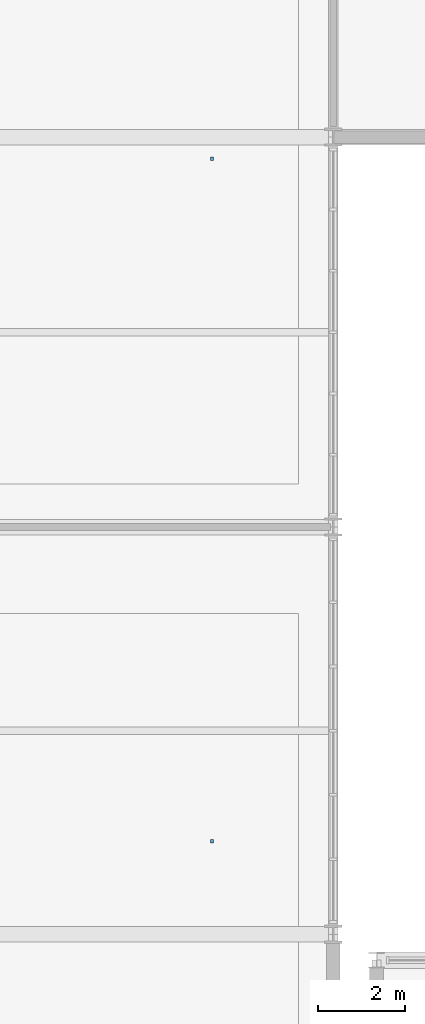
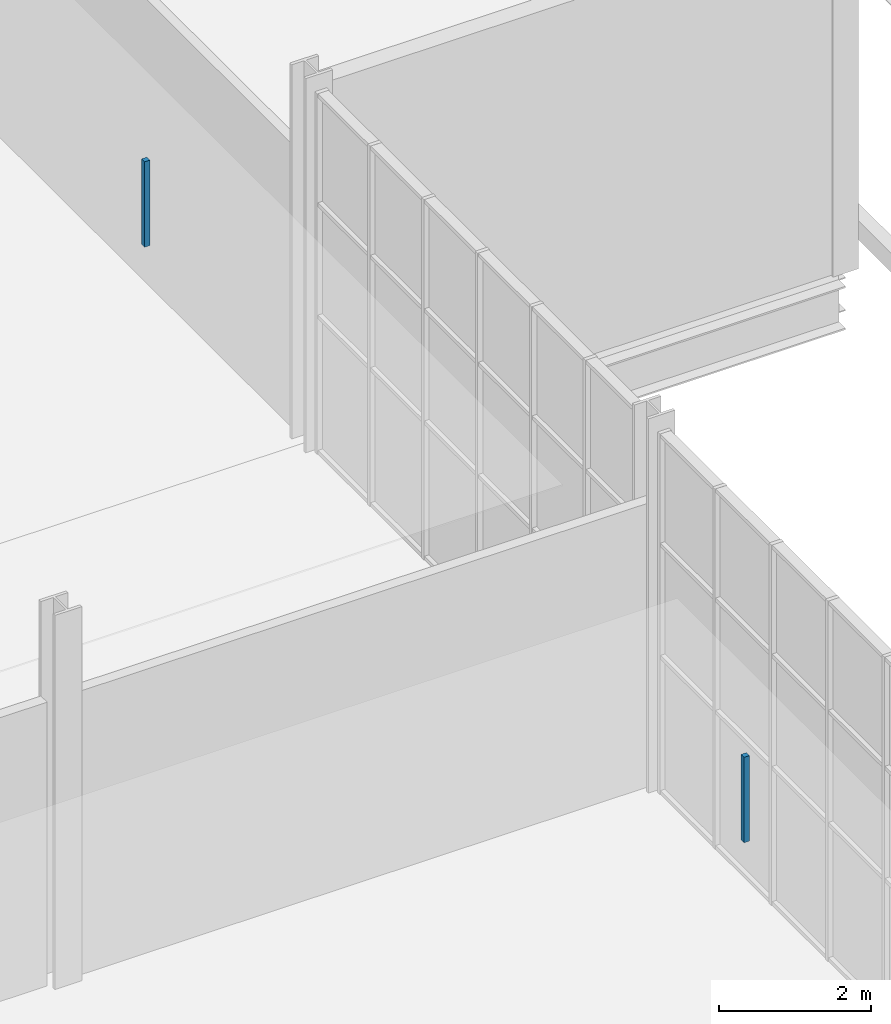
# One storey, part 132 of 159: 2 discrete accessories.
"""IFC4 building model written with IfcOpenShell, lengths in metres."""

import ifcopenshell
import ifcopenshell.guid

model = None  # the IFC model being written
_history = None  # IfcOwnerHistory: only IFC2X3 demands one
_inside = {}  # id of a spatial element -> (the spatial element, [elements in it])
_under = {}  # id of a project, library or spatial element -> (it, [spatial elements below it])
_declared = {}  # id of a project -> (the project, [libraries it declares])
_typed = {}  # id of a type object -> (the type object, [elements of that type])
_made_of = {}  # id of a material, layer set ... -> (it, [elements and type objects made of it])


def new_model(schema):
    """Start an empty IFC model of exactly this schema.

    Asked for "IFC4X3", IfcOpenShell would pick the latest addendum, in which some entities
    have other attributes; the version numbers below select the first issue.
    IFC2X3 requires an IfcOwnerHistory on every rooted entity: one is made here for all.
    """
    global model, _history
    if schema == "IFC4X3":
        model = ifcopenshell.file(schema_version=(4, 3, 0, 0))
    else:
        model = ifcopenshell.file(schema=schema)
    _inside.clear()
    _under.clear()
    _declared.clear()
    _typed.clear()
    _made_of.clear()
    _history = None
    if model.schema == "IFC2X3":
        org = make("IfcOrganization", Name="unknown")
        user = make(
            "IfcPersonAndOrganization",
            ThePerson=make("IfcPerson", FamilyName="unknown"),
            TheOrganization=org,
        )
        app = make(
            "IfcApplication",
            ApplicationDeveloper=org,
            Version="unknown",
            ApplicationFullName="unknown",
            ApplicationIdentifier="unknown",
        )
        _history = make(
            "IfcOwnerHistory",
            OwningUser=user,
            OwningApplication=app,
            ChangeAction="ADDED",
            CreationDate=0,
        )
    return model


def make(cls, **values):
    """One entity of the class cls with the attributes given. An attribute that is None is left unset."""
    return model.create_entity(
        cls, **{name: value for name, value in values.items() if value is not None}
    )


def rooted(cls, **values):
    """An entity with a GlobalId (a new one), such as an element, a storey or a relation."""
    return make(cls, GlobalId=ifcopenshell.guid.new(), OwnerHistory=_history, **values)


def si_unit(unit_type, name, prefix=None):
    """IfcSIUnit, for example si_unit("LENGTHUNIT", "METRE", prefix="MILLI")."""
    return make("IfcSIUnit", UnitType=unit_type, Prefix=prefix, Name=name)


def assignment(units):
    """IfcUnitAssignment: the units of a project."""
    return None if units is None else make("IfcUnitAssignment", Units=units)


def point(xyz):
    """IfcCartesianPoint."""
    return None if xyz is None else make("IfcCartesianPoint", Coordinates=xyz)


def direction(xyz):
    """IfcDirection."""
    return None if xyz is None else make("IfcDirection", DirectionRatios=xyz)


def frame(location, z_axis=None, x_axis=None):
    """IfcAxis2Placement3D, a coordinate frame: its origin and axes. An axis left out is left unset."""
    return make(
        "IfcAxis2Placement3D",
        Location=point(location),
        Axis=direction(z_axis),
        RefDirection=direction(x_axis),
    )


def frame_2d(location, x_axis=None):
    """IfcAxis2Placement2D, a coordinate frame in the plane: its origin and x axis."""
    return make(
        "IfcAxis2Placement2D", Location=point(location), RefDirection=direction(x_axis)
    )


def origin():
    """The frame at (0, 0, 0) with its axes left unset."""
    return frame((0.0, 0.0, 0.0))


def origin_2d():
    """The frame at (0, 0) in the plane with its x axis left unset."""
    return frame_2d((0.0, 0.0))


def place(relative_to, where):
    """IfcLocalPlacement: puts the frame where relative to a parent placement (None: the world)."""
    return make(
        "IfcLocalPlacement", PlacementRelTo=relative_to, RelativePlacement=where
    )


def context(
    kind, dimensions, precision=None, world=None, true_north=None, identifier=None
):
    """IfcGeometricRepresentationContext, for example the 3D "Model" context."""
    return make(
        "IfcGeometricRepresentationContext",
        ContextIdentifier=identifier,
        ContextType=kind,
        CoordinateSpaceDimension=dimensions,
        Precision=precision,
        WorldCoordinateSystem=world,
        TrueNorth=true_north,
    )


def subcontext(parent, identifier, kind, view, scale=None):
    """IfcGeometricRepresentationSubContext, for example "Body" below "Model"."""
    return make(
        "IfcGeometricRepresentationSubContext",
        ContextIdentifier=identifier,
        ContextType=kind,
        ParentContext=parent,
        TargetScale=scale,
        TargetView=view,
    )


def project(units=None, contexts=None):
    """IfcProject with its units and contexts."""
    return rooted(
        "IfcProject",
        Name="project",
        RepresentationContexts=contexts,
        UnitsInContext=assignment(units),
    )


def spatial(cls, under=None, at=None, **own):
    """A site, building, storey or space (cls), placed at a placement, below another one or the project."""
    s = rooted(cls, ObjectPlacement=at, **own)
    if under is not None:
        _under.setdefault(under.id(), (under, []))[1].append(s)
    return s


def profile(cls, at=None, kind="AREA", **sizes):
    """A parametric profile (cls). Its sizes go by their IFC names, for example OverallWidth=200.0."""
    return make(cls, ProfileType=kind, Position=at, **sizes)


def rectangle(**sizes):
    """IfcRectangleProfileDef."""
    return profile("IfcRectangleProfileDef", **sizes)


def extrude(swept, where, along, depth):
    """IfcExtrudedAreaSolid: the profile swept, set in the frame where, extruded along a direction by depth."""
    return make(
        "IfcExtrudedAreaSolid",
        SweptArea=swept,
        Position=where,
        ExtrudedDirection=direction(along),
        Depth=depth,
    )


def shape(context_of_items, identifier, shape_type, items):
    """IfcShapeRepresentation: the items that make up one representation, for example the "Body"."""
    return make(
        "IfcShapeRepresentation",
        ContextOfItems=context_of_items,
        RepresentationIdentifier=identifier,
        RepresentationType=shape_type,
        Items=items,
    )


def material(Name=None, Category=None):
    """IfcMaterial."""
    return make("IfcMaterial", Name=Name, Category=Category)


def made_of(thing, what):
    """Note that an element or type object is made of a material, layer set ...; save() writes the relation."""
    if what is not None:
        _made_of.setdefault(what.id(), (what, []))[1].append(thing)
    return thing


def type_object(cls, material=None, **own):
    """A type object (cls), such as IfcWallType, which elements share."""
    return made_of(rooted(cls, **own), material)


def element(
    cls,
    number,
    at=None,
    inside=None,
    cuts=None,
    type_object=None,
    material=None,
    context=None,
    identifier="Body",
    shape_type=None,
    held_by="IfcProductDefinitionShape",
    body=None,
    shapes=None,
    **own,
):
    """One element of the class cls, such as IfcWall. Its Tag is "e" and its number.

    at: its placement. inside: the storey or other place that contains it. cuts: it is an
    opening in that element (IfcRelVoidsElement). A single representation is given by context,
    identifier, shape_type and body (its items); several are given by shapes. held_by: the class
    of the entity that holds the representations. save() writes the other relations.
    """
    e = rooted(cls, Tag="e%d" % number, ObjectPlacement=at, **own)
    if body is not None:
        shapes = [shape(context, identifier, shape_type, body)]
    if shapes is not None:
        e.Representation = make(held_by, Representations=shapes)
    if inside is not None:
        _inside.setdefault(inside.id(), (inside, []))[1].append(e)
    if cuts is not None:
        rooted(
            "IfcRelVoidsElement", RelatingBuildingElement=cuts, RelatedOpeningElement=e
        )
    if type_object is not None:
        _typed.setdefault(type_object.id(), (type_object, []))[1].append(e)
    return made_of(e, material)


def aggregate(whole, parts):
    """IfcRelAggregates: a whole, such as a stair, and the parts it consists of."""
    return rooted("IfcRelAggregates", RelatingObject=whole, RelatedObjects=parts)


def save(model, path):
    """Write the relations noted so far, then the file.

    IfcRelAggregates (storeys below a building ...), IfcRelContainedInSpatialStructure (elements
    in a storey), IfcRelDefinesByType, IfcRelAssociatesMaterial and IfcRelDeclares: one each for
    every whole, place, type object, material and project.
    """
    for whole, parts in _under.values():
        aggregate(whole, parts)
    for where, things in _inside.values():
        rooted(
            "IfcRelContainedInSpatialStructure",
            RelatedElements=things,
            RelatingStructure=where,
        )
    for kind, things in _typed.values():
        rooted("IfcRelDefinesByType", RelatedObjects=things, RelatingType=kind)
    for what, things in _made_of.values():
        rooted("IfcRelAssociatesMaterial", RelatedObjects=things, RelatingMaterial=what)
    for by, libraries in _declared.values():
        rooted("IfcRelDeclares", RelatingContext=by, RelatedDefinitions=libraries)
    model.write(path)


model = new_model("IFC4")

# Units and contexts
model_context = context("Model", 3, precision=1e-05, world=origin(), true_north=direction((0.0, 1.0)))
body_context = subcontext(model_context, "Body", "Model", "MODEL_VIEW")
ifc_project = project(units=[si_unit("LENGTHUNIT", "METRE"), si_unit("AREAUNIT", "SQUARE_METRE"), si_unit("VOLUMEUNIT", "CUBIC_METRE"), si_unit("PLANEANGLEUNIT", "RADIAN"), si_unit("MASSUNIT", "GRAM", prefix="KILO")], contexts=[model_context])

# Site, building, storey
site_placement = place(None, origin())
site = spatial("IfcSite", under=ifc_project, at=site_placement, CompositionType="ELEMENT")
building_placement = place(site_placement, origin())
building = spatial("IfcBuilding", under=site, at=building_placement, Name="Cazmaro Siding Exhibition Halls", CompositionType="ELEMENT")
storey_placement = place(building_placement, frame((0.0, 0.0, 6.0)))
storey = spatial("IfcBuildingStorey", under=building, at=storey_placement, Name="L01", CompositionType="ELEMENT", Elevation=6.0)

# Discrete accessories
ifc_material = material(Name="Steel ASTM A572 Grade 50", Category="steel")
discrete_accessory_type = type_object("IfcDiscreteAccessoryType", Name="SBK-02", PredefinedType="BRACKET", material=ifc_material)
for number, where, z_axis, x_axis, name in (
    (1, (33.199951171875, 65.75, 4.419921875), (0.0, 0.0, 1.0), (1.0, 0.0, 0.0), "Ceiling Cloud Hanger Bracket SBK-02 006"),
    (2, (33.199951171875, 81.5, 4.419921875), (0.0, 0.0, 1.0), (1.0, 0.0, 0.0), "Ceiling Cloud Hanger Bracket SBK-02 008"),
):
    element("IfcDiscreteAccessory", number, at=place(storey_placement, frame(where, z_axis=z_axis, x_axis=x_axis)), inside=storey, type_object=discrete_accessory_type, Name=name, PredefinedType="BRACKET", context=body_context, shape_type="SweptSolid", body=[
        extrude(rectangle(XDim=0.080078125, YDim=0.080078125, at=origin_2d()), origin(), (0.0, 0.0, 1.0), 1.3701171875),
    ])

save(model, "model.ifc")
